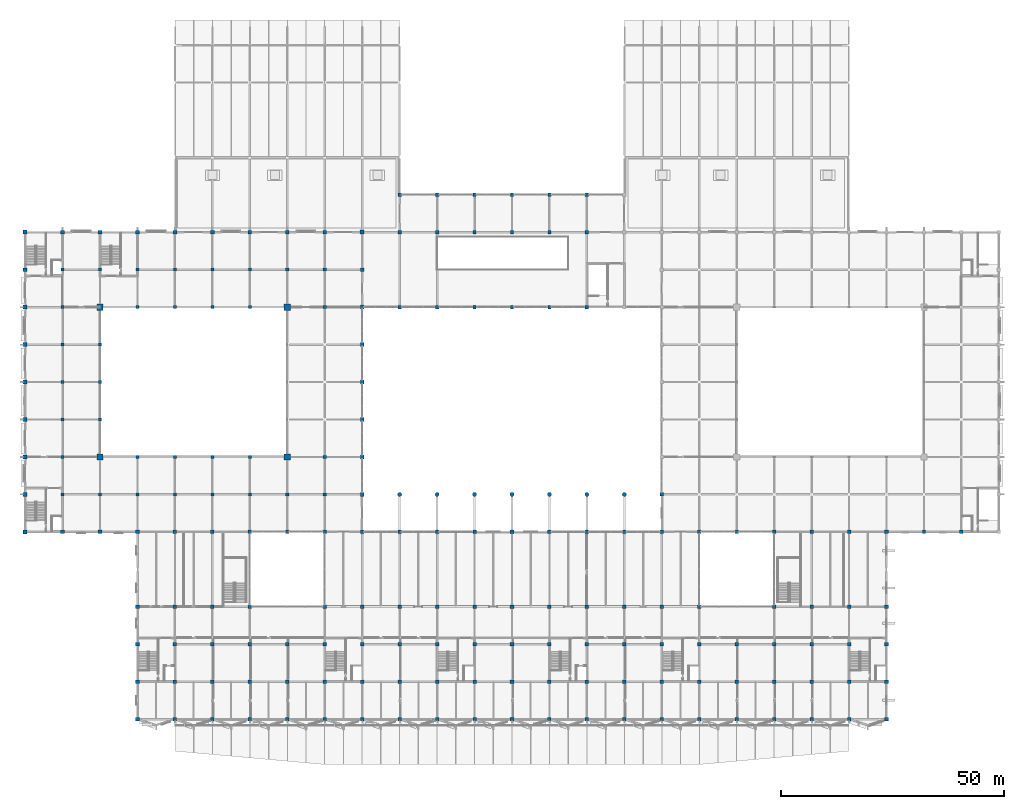
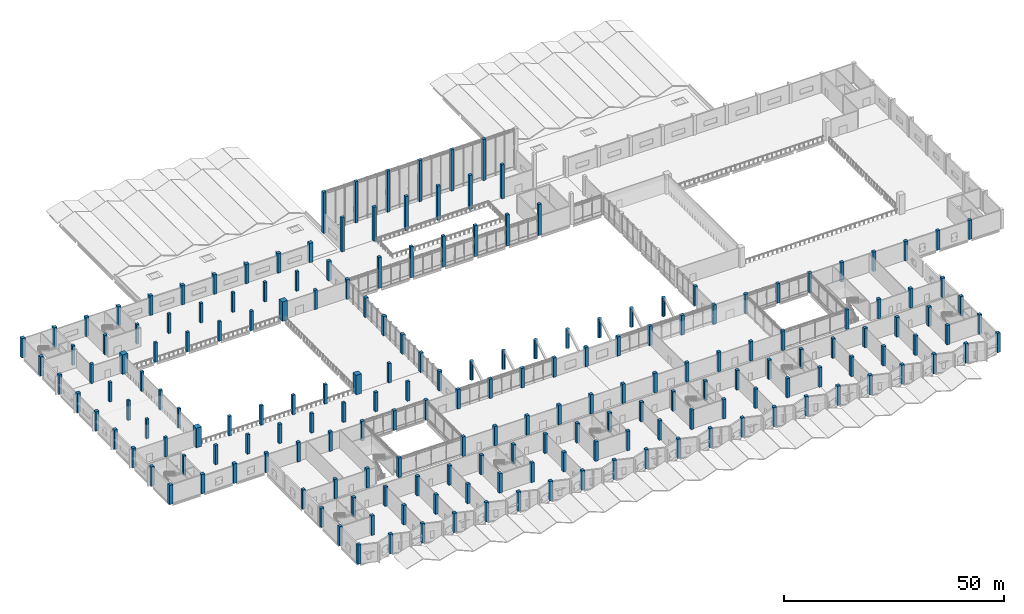
# One storey, part 1 of 72: 196 columns.
"""IFC4 building model written with IfcOpenShell, lengths in metres."""

from ifc_helpers import new_model, si_unit, direction, frame, origin, origin_2d, place, context, subcontext, project, spatial, rectangle, circle, extrude, material, material_profile, profile_set, type_object, element, save


model = new_model("IFC4")

# Units and contexts
model_context = context("Model", 3, precision=1e-05, world=origin(), true_north=direction((0.0, 1.0)))
body_context = subcontext(model_context, "Body", "Model", "MODEL_VIEW")
ifc_project = project(units=[si_unit("LENGTHUNIT", "METRE"), si_unit("AREAUNIT", "SQUARE_METRE"), si_unit("VOLUMEUNIT", "CUBIC_METRE"), si_unit("PLANEANGLEUNIT", "RADIAN"), si_unit("MASSUNIT", "GRAM", prefix="KILO")], contexts=[model_context])

# Site, building, storey
site_placement = place(None, origin())
site = spatial("IfcSite", under=ifc_project, at=site_placement, CompositionType="ELEMENT")
building_placement = place(site_placement, origin())
building = spatial("IfcBuilding", under=site, at=building_placement, Name="Qawsi Khor Wholesale Market", CompositionType="ELEMENT")
storey_placement = place(building_placement, frame((0.0, 0.0, 6.0)))
storey = spatial("IfcBuildingStorey", under=building, at=storey_placement, Name="L01", CompositionType="ELEMENT", Elevation=6.0)

# Columns
ifc_material = material(Name="Concrete C40/50", Category="concrete")
ifc_material_profile_1 = material_profile(ifc_material, rectangle(XDim=0.699951171875, YDim=0.699951171875, at=origin_2d()), Name="RC 700x700")
ifc_profile_set_1 = profile_set([ifc_material_profile_1], Name="Concrete C40/50")
column_type_1 = type_object("IfcColumnType", Name="Column RC 700x700", PredefinedType="COLUMN", material=ifc_profile_set_1)
for number, where, z_axis, x_axis, name in (
    (1, (8.39990234375, 50.39990234375, 0.0), (0.0, 0.0, 1.0), (1.0, 0.0, 0.0), "Column RC 700x700 L01 (1,6)"),
    (2, (8.39990234375, 58.800048828125, 0.0), (0.0, 0.0, 1.0), (1.0, 0.0, 0.0), "Column RC 700x700 L01 (1,7)"),
    (3, (8.39990234375, 67.199951171875, 0.0), (0.0, 0.0, 1.0), (1.0, 0.0, 0.0), "Column RC 700x700 L01 (1,8)"),
    (4, (8.39990234375, 75.60009765625, 0.0), (0.0, 0.0, 1.0), (1.0, 0.0, 0.0), "Column RC 700x700 L01 (1,9)"),
    (5, (8.39990234375, 84.0, 0.0), (0.0, 0.0, 1.0), (1.0, 0.0, 0.0), "Column RC 700x700 L01 (1,10)"),
    (6, (8.39990234375, 92.39990234375, 0.0), (0.0, 0.0, 1.0), (1.0, 0.0, 0.0), "Column RC 700x700 L01 (1,11)"),
    (7, (8.39990234375, 100.800048828125, 0.0), (0.0, 0.0, 1.0), (1.0, 0.0, 0.0), "Column RC 700x700 L01 (1,12)"),
    (8, (16.800048828125, 50.39990234375, 0.0), (0.0, 0.0, 1.0), (1.0, 0.0, 0.0), "Column RC 700x700 L01 (2,6)"),
    (9, (16.800048828125, 67.199951171875, 0.0), (0.0, 0.0, 1.0), (1.0, 0.0, 0.0), "Column RC 700x700 L01 (2,8)"),
    (10, (16.800048828125, 75.60009765625, 0.0), (0.0, 0.0, 1.0), (1.0, 0.0, 0.0), "Column RC 700x700 L01 (2,9)"),
    (11, (16.800048828125, 84.0, 0.0), (0.0, 0.0, 1.0), (1.0, 0.0, 0.0), "Column RC 700x700 L01 (2,10)"),
    (12, (16.800048828125, 100.800048828125, 0.0), (0.0, 0.0, 1.0), (1.0, 0.0, 0.0), "Column RC 700x700 L01 (2,12)"),
    (13, (25.199951171875, 50.39990234375, 0.0), (0.0, 0.0, 1.0), (1.0, 0.0, 0.0), "Column RC 700x700 L01 (3,6)"),
    (14, (25.199951171875, 58.800048828125, 0.0), (0.0, 0.0, 1.0), (1.0, 0.0, 0.0), "Column RC 700x700 L01 (3,7)"),
    (15, (25.199951171875, 92.39990234375, 0.0), (0.0, 0.0, 1.0), (1.0, 0.0, 0.0), "Column RC 700x700 L01 (3,11)"),
    (16, (25.199951171875, 100.800048828125, 0.0), (0.0, 0.0, 1.0), (1.0, 0.0, 0.0), "Column RC 700x700 L01 (3,12)"),
    (17, (33.60009765625, 50.39990234375, 0.0), (0.0, 0.0, 1.0), (1.0, 0.0, 0.0), "Column RC 700x700 L01 (4,6)"),
    (18, (33.60009765625, 58.800048828125, 0.0), (0.0, 0.0, 1.0), (1.0, 0.0, 0.0), "Column RC 700x700 L01 (4,7)"),
    (19, (33.60009765625, 92.39990234375, 0.0), (0.0, 0.0, 1.0), (1.0, 0.0, 0.0), "Column RC 700x700 L01 (4,11)"),
    (20, (33.60009765625, 100.800048828125, 0.0), (0.0, 0.0, 1.0), (1.0, 0.0, 0.0), "Column RC 700x700 L01 (4,12)"),
    (21, (42.0, 50.39990234375, 0.0), (0.0, 0.0, 1.0), (1.0, 0.0, 0.0), "Column RC 700x700 L01 (5,6)"),
    (22, (42.0, 58.800048828125, 0.0), (0.0, 0.0, 1.0), (1.0, 0.0, 0.0), "Column RC 700x700 L01 (5,7)"),
    (23, (42.0, 92.39990234375, 0.0), (0.0, 0.0, 1.0), (1.0, 0.0, 0.0), "Column RC 700x700 L01 (5,11)"),
    (24, (42.0, 100.800048828125, 0.0), (0.0, 0.0, 1.0), (1.0, 0.0, 0.0), "Column RC 700x700 L01 (5,12)"),
    (25, (50.39990234375, 50.39990234375, 0.0), (0.0, 0.0, 1.0), (1.0, 0.0, 0.0), "Column RC 700x700 L01 (6,6)"),
    (26, (50.39990234375, 58.800048828125, 0.0), (0.0, 0.0, 1.0), (1.0, 0.0, 0.0), "Column RC 700x700 L01 (6,7)"),
    (27, (50.39990234375, 92.39990234375, 0.0), (0.0, 0.0, 1.0), (1.0, 0.0, 0.0), "Column RC 700x700 L01 (6,11)"),
    (28, (50.39990234375, 100.800048828125, 0.0), (0.0, 0.0, 1.0), (1.0, 0.0, 0.0), "Column RC 700x700 L01 (6,12)"),
    (29, (58.800048828125, 50.39990234375, 0.0), (0.0, 0.0, 1.0), (1.0, 0.0, 0.0), "Column RC 700x700 L01 (7,6)"),
    (30, (58.800048828125, 100.800048828125, 0.0), (0.0, 0.0, 1.0), (1.0, 0.0, 0.0), "Column RC 700x700 L01 (7,12)"),
    (31, (67.199951171875, 50.39990234375, 0.0), (0.0, 0.0, 1.0), (1.0, 0.0, 0.0), "Column RC 700x700 L01 (8,6)"),
    (32, (67.199951171875, 58.800048828125, 0.0), (0.0, 0.0, 1.0), (1.0, 0.0, 0.0), "Column RC 700x700 L01 (8,7)"),
    (33, (67.199951171875, 92.39990234375, 0.0), (0.0, 0.0, 1.0), (1.0, 0.0, 0.0), "Column RC 700x700 L01 (8,11)"),
    (34, (67.199951171875, 100.800048828125, 0.0), (0.0, 0.0, 1.0), (1.0, 0.0, 0.0), "Column RC 700x700 L01 (8,12)"),
):
    element("IfcColumn", number, at=place(storey_placement, frame(where, z_axis=z_axis, x_axis=x_axis)), inside=storey, type_object=column_type_1, Name=name, PredefinedType="COLUMN", context=body_context, shape_type="SweptSolid", body=[
        extrude(rectangle(XDim=0.699951171875, YDim=0.699951171875, at=origin_2d()), origin(), (0.0, 0.0, 1.0), 5.39990234375),
    ])
ifc_material_profile_2 = material_profile(ifc_material, rectangle(XDim=0.75, YDim=0.75, at=origin_2d()), Name="RC 750x750")
ifc_profile_set_2 = profile_set([ifc_material_profile_2], Name="Concrete C40/50")
column_type_2 = type_object("IfcColumnType", Name="Column RC 750x750", PredefinedType="COLUMN", material=ifc_profile_set_2)
column_1_placement = place(storey_placement, frame((84.0, 92.39990234375, 0.0), z_axis=(0.0, 0.0, 1.0), x_axis=(1.0, 0.0, 0.0)))
element("IfcColumn", 35, at=column_1_placement, inside=storey, type_object=column_type_2, Name="Column RC 750x750 L01 (10,11)", PredefinedType="COLUMN", context=body_context, shape_type="SweptSolid", body=[
    extrude(rectangle(XDim=0.75, YDim=0.75, at=origin_2d()), origin(), (0.0, 0.0, 1.0), 8.639892578125),
])
column_2_placement = place(storey_placement, frame((84.0, 109.199951171875, 0.0), z_axis=(0.0, 0.0, 1.0), x_axis=(1.0, 0.0, 0.0)))
element("IfcColumn", 36, at=column_2_placement, inside=storey, type_object=column_type_2, Name="Column RC 750x750 L01 (10,13)", PredefinedType="COLUMN", context=body_context, shape_type="SweptSolid", body=[
    extrude(rectangle(XDim=0.75, YDim=0.75, at=origin_2d()), origin(), (0.0, 0.0, 1.0), 9.43994140625),
])
column_3_placement = place(storey_placement, frame((84.0, 117.60009765625, 0.0), z_axis=(0.0, 0.0, 1.0), x_axis=(1.0, 0.0, 0.0)))
element("IfcColumn", 37, at=column_3_placement, inside=storey, type_object=column_type_2, Name="Column RC 750x750 L01 (10,14)", PredefinedType="COLUMN", context=body_context, shape_type="SweptSolid", body=[
    extrude(rectangle(XDim=0.75, YDim=0.75, at=origin_2d()), origin(), (0.0, 0.0, 1.0), 11.43994140625),
])
column_4_placement = place(storey_placement, frame((92.39990234375, 92.39990234375, 0.0), z_axis=(0.0, 0.0, 1.0), x_axis=(1.0, 0.0, 0.0)))
element("IfcColumn", 38, at=column_4_placement, inside=storey, type_object=column_type_2, Name="Column RC 750x750 L01 (11,11)", PredefinedType="COLUMN", context=body_context, shape_type="SweptSolid", body=[
    extrude(rectangle(XDim=0.75, YDim=0.75, at=origin_2d()), origin(), (0.0, 0.0, 1.0), 8.639892578125),
])
column_5_placement = place(storey_placement, frame((92.39990234375, 109.199951171875, 0.0), z_axis=(0.0, 0.0, 1.0), x_axis=(1.0, 0.0, 0.0)))
element("IfcColumn", 39, at=column_5_placement, inside=storey, type_object=column_type_2, Name="Column RC 750x750 L01 (11,13)", PredefinedType="COLUMN", context=body_context, shape_type="SweptSolid", body=[
    extrude(rectangle(XDim=0.75, YDim=0.75, at=origin_2d()), origin(), (0.0, 0.0, 1.0), 9.43994140625),
])
column_6_placement = place(storey_placement, frame((92.39990234375, 117.60009765625, 0.0), z_axis=(0.0, 0.0, 1.0), x_axis=(1.0, 0.0, 0.0)))
element("IfcColumn", 40, at=column_6_placement, inside=storey, type_object=column_type_2, Name="Column RC 750x750 L01 (11,14)", PredefinedType="COLUMN", context=body_context, shape_type="SweptSolid", body=[
    extrude(rectangle(XDim=0.75, YDim=0.75, at=origin_2d()), origin(), (0.0, 0.0, 1.0), 11.43994140625),
])
column_7_placement = place(storey_placement, frame((100.800048828125, 92.39990234375, 0.0), z_axis=(0.0, 0.0, 1.0), x_axis=(1.0, 0.0, 0.0)))
element("IfcColumn", 41, at=column_7_placement, inside=storey, type_object=column_type_2, Name="Column RC 750x750 L01 (12,11)", PredefinedType="COLUMN", context=body_context, shape_type="SweptSolid", body=[
    extrude(rectangle(XDim=0.75, YDim=0.75, at=origin_2d()), origin(), (0.0, 0.0, 1.0), 8.639892578125),
])
column_8_placement = place(storey_placement, frame((100.800048828125, 109.199951171875, 0.0), z_axis=(0.0, 0.0, 1.0), x_axis=(1.0, 0.0, 0.0)))
element("IfcColumn", 42, at=column_8_placement, inside=storey, type_object=column_type_2, Name="Column RC 750x750 L01 (12,13)", PredefinedType="COLUMN", context=body_context, shape_type="SweptSolid", body=[
    extrude(rectangle(XDim=0.75, YDim=0.75, at=origin_2d()), origin(), (0.0, 0.0, 1.0), 9.43994140625),
])
column_9_placement = place(storey_placement, frame((100.800048828125, 117.60009765625, 0.0), z_axis=(0.0, 0.0, 1.0), x_axis=(1.0, 0.0, 0.0)))
element("IfcColumn", 43, at=column_9_placement, inside=storey, type_object=column_type_2, Name="Column RC 750x750 L01 (12,14)", PredefinedType="COLUMN", context=body_context, shape_type="SweptSolid", body=[
    extrude(rectangle(XDim=0.75, YDim=0.75, at=origin_2d()), origin(), (0.0, 0.0, 1.0), 11.43994140625),
])
column_10_placement = place(storey_placement, frame((109.199951171875, 92.39990234375, 0.0), z_axis=(0.0, 0.0, 1.0), x_axis=(1.0, 0.0, 0.0)))
element("IfcColumn", 44, at=column_10_placement, inside=storey, type_object=column_type_2, Name="Column RC 750x750 L01 (13,11)", PredefinedType="COLUMN", context=body_context, shape_type="SweptSolid", body=[
    extrude(rectangle(XDim=0.75, YDim=0.75, at=origin_2d()), origin(), (0.0, 0.0, 1.0), 8.639892578125),
])
column_11_placement = place(storey_placement, frame((109.199951171875, 109.199951171875, 0.0), z_axis=(0.0, 0.0, 1.0), x_axis=(1.0, 0.0, 0.0)))
element("IfcColumn", 45, at=column_11_placement, inside=storey, type_object=column_type_2, Name="Column RC 750x750 L01 (13,13)", PredefinedType="COLUMN", context=body_context, shape_type="SweptSolid", body=[
    extrude(rectangle(XDim=0.75, YDim=0.75, at=origin_2d()), origin(), (0.0, 0.0, 1.0), 9.43994140625),
])
column_12_placement = place(storey_placement, frame((109.199951171875, 117.60009765625, 0.0), z_axis=(0.0, 0.0, 1.0), x_axis=(1.0, 0.0, 0.0)))
element("IfcColumn", 46, at=column_12_placement, inside=storey, type_object=column_type_2, Name="Column RC 750x750 L01 (13,14)", PredefinedType="COLUMN", context=body_context, shape_type="SweptSolid", body=[
    extrude(rectangle(XDim=0.75, YDim=0.75, at=origin_2d()), origin(), (0.0, 0.0, 1.0), 11.43994140625),
])
column_13_placement = place(storey_placement, frame((117.60009765625, 92.39990234375, 0.0), z_axis=(0.0, 0.0, 1.0), x_axis=(1.0, 0.0, 0.0)))
element("IfcColumn", 47, at=column_13_placement, inside=storey, type_object=column_type_2, Name="Column RC 750x750 L01 (14,11)", PredefinedType="COLUMN", context=body_context, shape_type="SweptSolid", body=[
    extrude(rectangle(XDim=0.75, YDim=0.75, at=origin_2d()), origin(), (0.0, 0.0, 1.0), 8.639892578125),
])
column_14_placement = place(storey_placement, frame((117.60009765625, 109.199951171875, 0.0), z_axis=(0.0, 0.0, 1.0), x_axis=(1.0, 0.0, 0.0)))
element("IfcColumn", 48, at=column_14_placement, inside=storey, type_object=column_type_2, Name="Column RC 750x750 L01 (14,13)", PredefinedType="COLUMN", context=body_context, shape_type="SweptSolid", body=[
    extrude(rectangle(XDim=0.75, YDim=0.75, at=origin_2d()), origin(), (0.0, 0.0, 1.0), 9.43994140625),
])
column_15_placement = place(storey_placement, frame((117.60009765625, 117.60009765625, 0.0), z_axis=(0.0, 0.0, 1.0), x_axis=(1.0, 0.0, 0.0)))
element("IfcColumn", 49, at=column_15_placement, inside=storey, type_object=column_type_2, Name="Column RC 750x750 L01 (14,14)", PredefinedType="COLUMN", context=body_context, shape_type="SweptSolid", body=[
    extrude(rectangle(XDim=0.75, YDim=0.75, at=origin_2d()), origin(), (0.0, 0.0, 1.0), 11.43994140625),
])
column_16_placement = place(storey_placement, frame((126.0, 92.39990234375, 0.0), z_axis=(0.0, 0.0, 1.0), x_axis=(1.0, 0.0, 0.0)))
element("IfcColumn", 50, at=column_16_placement, inside=storey, type_object=column_type_2, Name="Column RC 750x750 L01 (15,11)", PredefinedType="COLUMN", context=body_context, shape_type="SweptSolid", body=[
    extrude(rectangle(XDim=0.75, YDim=0.75, at=origin_2d()), origin(), (0.0, 0.0, 1.0), 8.639892578125),
])
column_17_placement = place(storey_placement, frame((126.0, 109.199951171875, 0.0), z_axis=(0.0, 0.0, 1.0), x_axis=(1.0, 0.0, 0.0)))
element("IfcColumn", 51, at=column_17_placement, inside=storey, type_object=column_type_2, Name="Column RC 750x750 L01 (15,13)", PredefinedType="COLUMN", context=body_context, shape_type="SweptSolid", body=[
    extrude(rectangle(XDim=0.75, YDim=0.75, at=origin_2d()), origin(), (0.0, 0.0, 1.0), 9.43994140625),
])
column_18_placement = place(storey_placement, frame((126.0, 117.60009765625, 0.0), z_axis=(0.0, 0.0, 1.0), x_axis=(1.0, 0.0, 0.0)))
element("IfcColumn", 52, at=column_18_placement, inside=storey, type_object=column_type_2, Name="Column RC 750x750 L01 (15,14)", PredefinedType="COLUMN", context=body_context, shape_type="SweptSolid", body=[
    extrude(rectangle(XDim=0.75, YDim=0.75, at=origin_2d()), origin(), (0.0, 0.0, 1.0), 11.43994140625),
])
for number, where, z_axis, x_axis, name in (
    (53, (142.800048828125, 50.39990234375, 0.0), (0.0, 0.0, 1.0), (1.0, 0.0, 0.0), "Column RC 750x750 L01 (17,6)"),
    (54, (159.60009765625, 42.0, 0.0), (0.0, 0.0, 1.0), (1.0, 0.0, 0.0), "Column RC 750x750 L01 (19,5)"),
    (55, (201.60009765625, 42.0, 0.0), (0.0, 0.0, 1.0), (1.0, 0.0, 0.0), "Column RC 750x750 L01 (24,5)"),
    (56, (210.0, 42.0, 0.0), (0.0, 0.0, 1.0), (1.0, 0.0, 0.0), "Column RC 750x750 L01 (25,5)"),
):
    element("IfcColumn", number, at=place(storey_placement, frame(where, z_axis=z_axis, x_axis=x_axis)), inside=storey, type_object=column_type_2, Name=name, PredefinedType="COLUMN", context=body_context, shape_type="SweptSolid", body=[
        extrude(rectangle(XDim=0.75, YDim=0.75, at=origin_2d()), origin(), (0.0, 0.0, 1.0), 5.39990234375),
    ])
ifc_material_profile_3 = material_profile(ifc_material, rectangle(XDim=0.800048828125, YDim=0.800048828125, at=origin_2d()), Name="RC 800x800")
ifc_profile_set_3 = profile_set([ifc_material_profile_3], Name="Concrete C40/50")
column_type_3 = type_object("IfcColumnType", Name="Column RC 800x800", PredefinedType="COLUMN", material=ifc_profile_set_3)
for number, where, z_axis, x_axis, name in (
    (57, (25.199951171875, 0.0, 0.0), (0.0, 0.0, 1.0), (1.0, 0.0, 0.0), "Column RC 800x800 L01 (3,0)"),
    (58, (25.199951171875, 8.39990234375, 0.0), (0.0, 0.0, 1.0), (1.0, 0.0, 0.0), "Column RC 800x800 L01 (3,1)"),
    (59, (25.199951171875, 16.800048828125, 0.0), (0.0, 0.0, 1.0), (1.0, 0.0, 0.0), "Column RC 800x800 L01 (3,2)"),
    (60, (25.199951171875, 25.199951171875, 0.0), (0.0, 0.0, 1.0), (1.0, 0.0, 0.0), "Column RC 800x800 L01 (3,3)"),
    (61, (25.199951171875, 42.0, 0.0), (0.0, 0.0, 1.0), (1.0, 0.0, 0.0), "Column RC 800x800 L01 (3,5)"),
    (62, (33.60009765625, 0.0, 0.0), (0.0, 0.0, 1.0), (1.0, 0.0, 0.0), "Column RC 800x800 L01 (4,0)"),
    (63, (33.60009765625, 8.39990234375, 0.0), (0.0, 0.0, 1.0), (1.0, 0.0, 0.0), "Column RC 800x800 L01 (4,1)"),
    (64, (33.60009765625, 16.800048828125, 0.0), (0.0, 0.0, 1.0), (1.0, 0.0, 0.0), "Column RC 800x800 L01 (4,2)"),
    (65, (33.60009765625, 25.199951171875, 0.0), (0.0, 0.0, 1.0), (1.0, 0.0, 0.0), "Column RC 800x800 L01 (4,3)"),
    (66, (33.60009765625, 42.0, 0.0), (0.0, 0.0, 1.0), (1.0, 0.0, 0.0), "Column RC 800x800 L01 (4,5)"),
    (67, (42.0, 0.0, 0.0), (0.0, 0.0, 1.0), (1.0, 0.0, 0.0), "Column RC 800x800 L01 (5,0)"),
    (68, (42.0, 8.39990234375, 0.0), (0.0, 0.0, 1.0), (1.0, 0.0, 0.0), "Column RC 800x800 L01 (5,1)"),
    (69, (42.0, 16.800048828125, 0.0), (0.0, 0.0, 1.0), (1.0, 0.0, 0.0), "Column RC 800x800 L01 (5,2)"),
    (70, (42.0, 25.199951171875, 0.0), (0.0, 0.0, 1.0), (1.0, 0.0, 0.0), "Column RC 800x800 L01 (5,3)"),
    (71, (42.0, 42.0, 0.0), (0.0, 0.0, 1.0), (1.0, 0.0, 0.0), "Column RC 800x800 L01 (5,5)"),
    (72, (50.39990234375, 0.0, 0.0), (0.0, 0.0, 1.0), (1.0, 0.0, 0.0), "Column RC 800x800 L01 (6,0)"),
    (73, (50.39990234375, 8.39990234375, 0.0), (0.0, 0.0, 1.0), (1.0, 0.0, 0.0), "Column RC 800x800 L01 (6,1)"),
    (74, (50.39990234375, 16.800048828125, 0.0), (0.0, 0.0, 1.0), (1.0, 0.0, 0.0), "Column RC 800x800 L01 (6,2)"),
    (75, (50.39990234375, 25.199951171875, 0.0), (0.0, 0.0, 1.0), (1.0, 0.0, 0.0), "Column RC 800x800 L01 (6,3)"),
    (76, (50.39990234375, 42.0, 0.0), (0.0, 0.0, 1.0), (1.0, 0.0, 0.0), "Column RC 800x800 L01 (6,5)"),
    (77, (58.800048828125, 0.0, 0.0), (0.0, 0.0, 1.0), (1.0, 0.0, 0.0), "Column RC 800x800 L01 (7,0)"),
    (78, (58.800048828125, 8.39990234375, 0.0), (0.0, 0.0, 1.0), (1.0, 0.0, 0.0), "Column RC 800x800 L01 (7,1)"),
    (79, (58.800048828125, 16.800048828125, 0.0), (0.0, 0.0, 1.0), (1.0, 0.0, 0.0), "Column RC 800x800 L01 (7,2)"),
    (80, (67.199951171875, 0.0, 0.0), (0.0, 0.0, 1.0), (1.0, 0.0, 0.0), "Column RC 800x800 L01 (8,0)"),
    (81, (67.199951171875, 8.39990234375, 0.0), (0.0, 0.0, 1.0), (1.0, 0.0, 0.0), "Column RC 800x800 L01 (8,1)"),
    (82, (67.199951171875, 16.800048828125, 0.0), (0.0, 0.0, 1.0), (1.0, 0.0, 0.0), "Column RC 800x800 L01 (8,2)"),
    (83, (67.199951171875, 25.199951171875, 0.0), (0.0, 0.0, 1.0), (1.0, 0.0, 0.0), "Column RC 800x800 L01 (8,3)"),
    (84, (67.199951171875, 42.0, 0.0), (0.0, 0.0, 1.0), (1.0, 0.0, 0.0), "Column RC 800x800 L01 (8,5)"),
    (85, (75.60009765625, 0.0, 0.0), (0.0, 0.0, 1.0), (1.0, 0.0, 0.0), "Column RC 800x800 L01 (9,0)"),
    (86, (75.60009765625, 8.39990234375, 0.0), (0.0, 0.0, 1.0), (1.0, 0.0, 0.0), "Column RC 800x800 L01 (9,1)"),
    (87, (75.60009765625, 16.800048828125, 0.0), (0.0, 0.0, 1.0), (1.0, 0.0, 0.0), "Column RC 800x800 L01 (9,2)"),
    (88, (75.60009765625, 25.199951171875, 0.0), (0.0, 0.0, 1.0), (1.0, 0.0, 0.0), "Column RC 800x800 L01 (9,3)"),
    (89, (75.60009765625, 42.0, 0.0), (0.0, 0.0, 1.0), (1.0, 0.0, 0.0), "Column RC 800x800 L01 (9,5)"),
    (90, (84.0, 0.0, 0.0), (0.0, 0.0, 1.0), (1.0, 0.0, 0.0), "Column RC 800x800 L01 (10,0)"),
    (91, (84.0, 8.39990234375, 0.0), (0.0, 0.0, 1.0), (1.0, 0.0, 0.0), "Column RC 800x800 L01 (10,1)"),
    (92, (84.0, 16.800048828125, 0.0), (0.0, 0.0, 1.0), (1.0, 0.0, 0.0), "Column RC 800x800 L01 (10,2)"),
    (93, (84.0, 25.199951171875, 0.0), (0.0, 0.0, 1.0), (1.0, 0.0, 0.0), "Column RC 800x800 L01 (10,3)"),
    (94, (84.0, 42.0, 0.0), (0.0, 0.0, 1.0), (1.0, 0.0, 0.0), "Column RC 800x800 L01 (10,5)"),
    (95, (92.39990234375, 0.0, 0.0), (0.0, 0.0, 1.0), (1.0, 0.0, 0.0), "Column RC 800x800 L01 (11,0)"),
    (96, (92.39990234375, 8.39990234375, 0.0), (0.0, 0.0, 1.0), (1.0, 0.0, 0.0), "Column RC 800x800 L01 (11,1)"),
    (97, (92.39990234375, 16.800048828125, 0.0), (0.0, 0.0, 1.0), (1.0, 0.0, 0.0), "Column RC 800x800 L01 (11,2)"),
    (98, (92.39990234375, 25.199951171875, 0.0), (0.0, 0.0, 1.0), (1.0, 0.0, 0.0), "Column RC 800x800 L01 (11,3)"),
    (99, (92.39990234375, 42.0, 0.0), (0.0, 0.0, 1.0), (1.0, 0.0, 0.0), "Column RC 800x800 L01 (11,5)"),
    (100, (100.800048828125, 0.0, 0.0), (0.0, 0.0, 1.0), (1.0, 0.0, 0.0), "Column RC 800x800 L01 (12,0)"),
    (101, (100.800048828125, 8.39990234375, 0.0), (0.0, 0.0, 1.0), (1.0, 0.0, 0.0), "Column RC 800x800 L01 (12,1)"),
    (102, (100.800048828125, 16.800048828125, 0.0), (0.0, 0.0, 1.0), (1.0, 0.0, 0.0), "Column RC 800x800 L01 (12,2)"),
    (103, (100.800048828125, 25.199951171875, 0.0), (0.0, 0.0, 1.0), (1.0, 0.0, 0.0), "Column RC 800x800 L01 (12,3)"),
    (104, (100.800048828125, 42.0, 0.0), (0.0, 0.0, 1.0), (1.0, 0.0, 0.0), "Column RC 800x800 L01 (12,5)"),
    (105, (109.199951171875, 0.0, 0.0), (0.0, 0.0, 1.0), (1.0, 0.0, 0.0), "Column RC 800x800 L01 (13,0)"),
    (106, (109.199951171875, 8.39990234375, 0.0), (0.0, 0.0, 1.0), (1.0, 0.0, 0.0), "Column RC 800x800 L01 (13,1)"),
    (107, (109.199951171875, 16.800048828125, 0.0), (0.0, 0.0, 1.0), (1.0, 0.0, 0.0), "Column RC 800x800 L01 (13,2)"),
    (108, (109.199951171875, 25.199951171875, 0.0), (0.0, 0.0, 1.0), (1.0, 0.0, 0.0), "Column RC 800x800 L01 (13,3)"),
    (109, (109.199951171875, 42.0, 0.0), (0.0, 0.0, 1.0), (1.0, 0.0, 0.0), "Column RC 800x800 L01 (13,5)"),
    (110, (117.60009765625, 0.0, 0.0), (0.0, 0.0, 1.0), (1.0, 0.0, 0.0), "Column RC 800x800 L01 (14,0)"),
    (111, (117.60009765625, 8.39990234375, 0.0), (0.0, 0.0, 1.0), (1.0, 0.0, 0.0), "Column RC 800x800 L01 (14,1)"),
    (112, (117.60009765625, 16.800048828125, 0.0), (0.0, 0.0, 1.0), (1.0, 0.0, 0.0), "Column RC 800x800 L01 (14,2)"),
    (113, (117.60009765625, 25.199951171875, 0.0), (0.0, 0.0, 1.0), (1.0, 0.0, 0.0), "Column RC 800x800 L01 (14,3)"),
    (114, (117.60009765625, 42.0, 0.0), (0.0, 0.0, 1.0), (1.0, 0.0, 0.0), "Column RC 800x800 L01 (14,5)"),
    (115, (126.0, 0.0, 0.0), (0.0, 0.0, 1.0), (1.0, 0.0, 0.0), "Column RC 800x800 L01 (15,0)"),
    (116, (126.0, 8.39990234375, 0.0), (0.0, 0.0, 1.0), (1.0, 0.0, 0.0), "Column RC 800x800 L01 (15,1)"),
    (117, (126.0, 16.800048828125, 0.0), (0.0, 0.0, 1.0), (1.0, 0.0, 0.0), "Column RC 800x800 L01 (15,2)"),
    (118, (126.0, 25.199951171875, 0.0), (0.0, 0.0, 1.0), (1.0, 0.0, 0.0), "Column RC 800x800 L01 (15,3)"),
    (119, (126.0, 42.0, 0.0), (0.0, 0.0, 1.0), (1.0, 0.0, 0.0), "Column RC 800x800 L01 (15,5)"),
    (120, (134.39990234375, 0.0, 0.0), (0.0, 0.0, 1.0), (1.0, 0.0, 0.0), "Column RC 800x800 L01 (16,0)"),
    (121, (134.39990234375, 8.39990234375, 0.0), (0.0, 0.0, 1.0), (1.0, 0.0, 0.0), "Column RC 800x800 L01 (16,1)"),
    (122, (134.39990234375, 16.800048828125, 0.0), (0.0, 0.0, 1.0), (1.0, 0.0, 0.0), "Column RC 800x800 L01 (16,2)"),
    (123, (134.39990234375, 25.199951171875, 0.0), (0.0, 0.0, 1.0), (1.0, 0.0, 0.0), "Column RC 800x800 L01 (16,3)"),
    (124, (134.39990234375, 42.0, 0.0), (0.0, 0.0, 1.0), (1.0, 0.0, 0.0), "Column RC 800x800 L01 (16,5)"),
    (125, (142.800048828125, 0.0, 0.0), (0.0, 0.0, 1.0), (1.0, 0.0, 0.0), "Column RC 800x800 L01 (17,0)"),
    (126, (142.800048828125, 8.39990234375, 0.0), (0.0, 0.0, 1.0), (1.0, 0.0, 0.0), "Column RC 800x800 L01 (17,1)"),
    (127, (142.800048828125, 16.800048828125, 0.0), (0.0, 0.0, 1.0), (1.0, 0.0, 0.0), "Column RC 800x800 L01 (17,2)"),
    (128, (142.800048828125, 25.199951171875, 0.0), (0.0, 0.0, 1.0), (1.0, 0.0, 0.0), "Column RC 800x800 L01 (17,3)"),
    (129, (142.800048828125, 42.0, 0.0), (0.0, 0.0, 1.0), (1.0, 0.0, 0.0), "Column RC 800x800 L01 (17,5)"),
    (130, (151.199951171875, 0.0, 0.0), (0.0, 0.0, 1.0), (1.0, 0.0, 0.0), "Column RC 800x800 L01 (18,0)"),
    (131, (151.199951171875, 8.39990234375, 0.0), (0.0, 0.0, 1.0), (1.0, 0.0, 0.0), "Column RC 800x800 L01 (18,1)"),
    (132, (151.199951171875, 16.800048828125, 0.0), (0.0, 0.0, 1.0), (1.0, 0.0, 0.0), "Column RC 800x800 L01 (18,2)"),
    (133, (151.199951171875, 25.199951171875, 0.0), (0.0, 0.0, 1.0), (1.0, 0.0, 0.0), "Column RC 800x800 L01 (18,3)"),
    (134, (151.199951171875, 42.0, 0.0), (0.0, 0.0, 1.0), (1.0, 0.0, 0.0), "Column RC 800x800 L01 (18,5)"),
    (135, (159.60009765625, 0.0, 0.0), (0.0, 0.0, 1.0), (1.0, 0.0, 0.0), "Column RC 800x800 L01 (19,0)"),
    (136, (159.60009765625, 8.39990234375, 0.0), (0.0, 0.0, 1.0), (1.0, 0.0, 0.0), "Column RC 800x800 L01 (19,1)"),
    (137, (159.60009765625, 16.800048828125, 0.0), (0.0, 0.0, 1.0), (1.0, 0.0, 0.0), "Column RC 800x800 L01 (19,2)"),
    (138, (168.0, 0.0, 0.0), (0.0, 0.0, 1.0), (1.0, 0.0, 0.0), "Column RC 800x800 L01 (20,0)"),
    (139, (168.0, 8.39990234375, 0.0), (0.0, 0.0, 1.0), (1.0, 0.0, 0.0), "Column RC 800x800 L01 (20,1)"),
    (140, (168.0, 16.800048828125, 0.0), (0.0, 0.0, 1.0), (1.0, 0.0, 0.0), "Column RC 800x800 L01 (20,2)"),
    (141, (168.0, 25.199951171875, 0.0), (0.0, 0.0, 1.0), (1.0, 0.0, 0.0), "Column RC 800x800 L01 (20,3)"),
    (142, (168.0, 42.0, 0.0), (0.0, 0.0, 1.0), (1.0, 0.0, 0.0), "Column RC 800x800 L01 (20,5)"),
    (143, (176.39990234375, 0.0, 0.0), (0.0, 0.0, 1.0), (1.0, 0.0, 0.0), "Column RC 800x800 L01 (21,0)"),
    (144, (176.39990234375, 8.39990234375, 0.0), (0.0, 0.0, 1.0), (1.0, 0.0, 0.0), "Column RC 800x800 L01 (21,1)"),
    (145, (176.39990234375, 16.800048828125, 0.0), (0.0, 0.0, 1.0), (1.0, 0.0, 0.0), "Column RC 800x800 L01 (21,2)"),
    (146, (176.39990234375, 25.199951171875, 0.0), (0.0, 0.0, 1.0), (1.0, 0.0, 0.0), "Column RC 800x800 L01 (21,3)"),
    (147, (176.39990234375, 42.0, 0.0), (0.0, 0.0, 1.0), (1.0, 0.0, 0.0), "Column RC 800x800 L01 (21,5)"),
    (148, (184.800048828125, 0.0, 0.0), (0.0, 0.0, 1.0), (1.0, 0.0, 0.0), "Column RC 800x800 L01 (22,0)"),
    (149, (184.800048828125, 8.39990234375, 0.0), (0.0, 0.0, 1.0), (1.0, 0.0, 0.0), "Column RC 800x800 L01 (22,1)"),
    (150, (184.800048828125, 16.800048828125, 0.0), (0.0, 0.0, 1.0), (1.0, 0.0, 0.0), "Column RC 800x800 L01 (22,2)"),
    (151, (184.800048828125, 25.199951171875, 0.0), (0.0, 0.0, 1.0), (1.0, 0.0, 0.0), "Column RC 800x800 L01 (22,3)"),
    (152, (184.800048828125, 42.0, 0.0), (0.0, 0.0, 1.0), (1.0, 0.0, 0.0), "Column RC 800x800 L01 (22,5)"),
    (153, (193.199951171875, 0.0, 0.0), (0.0, 0.0, 1.0), (1.0, 0.0, 0.0), "Column RC 800x800 L01 (23,0)"),
    (154, (193.199951171875, 8.39990234375, 0.0), (0.0, 0.0, 1.0), (1.0, 0.0, 0.0), "Column RC 800x800 L01 (23,1)"),
    (155, (193.199951171875, 16.800048828125, 0.0), (0.0, 0.0, 1.0), (1.0, 0.0, 0.0), "Column RC 800x800 L01 (23,2)"),
    (156, (193.199951171875, 25.199951171875, 0.0), (0.0, 0.0, 1.0), (1.0, 0.0, 0.0), "Column RC 800x800 L01 (23,3)"),
    (157, (193.199951171875, 42.0, 0.0), (0.0, 0.0, 1.0), (1.0, 0.0, 0.0), "Column RC 800x800 L01 (23,5)"),
):
    element("IfcColumn", number, at=place(storey_placement, frame(where, z_axis=z_axis, x_axis=x_axis)), inside=storey, type_object=column_type_3, Name=name, PredefinedType="COLUMN", context=body_context, shape_type="SweptSolid", body=[
        extrude(rectangle(XDim=0.800048828125, YDim=0.800048828125, at=origin_2d()), origin(), (0.0, 0.0, 1.0), 5.39990234375),
    ])
ifc_material_profile_4 = material_profile(ifc_material, rectangle(XDim=0.85009765625, YDim=0.85009765625, at=origin_2d()), Name="RC 850x850")
ifc_profile_set_4 = profile_set([ifc_material_profile_4], Name="Concrete C40/50")
column_type_4 = type_object("IfcColumnType", Name="Column RC 850x850", PredefinedType="COLUMN", material=ifc_profile_set_4)
for number, where, z_axis, x_axis, name in (
    (158, (0.0, 50.39990234375, 0.0), (0.0, 0.0, 1.0), (1.0, 0.0, 0.0), "Column RC 850x850 L01 (0,6)"),
    (159, (0.0, 58.800048828125, 0.0), (0.0, 0.0, 1.0), (1.0, 0.0, 0.0), "Column RC 850x850 L01 (0,7)"),
    (160, (0.0, 67.199951171875, 0.0), (0.0, 0.0, 1.0), (1.0, 0.0, 0.0), "Column RC 850x850 L01 (0,8)"),
    (161, (0.0, 75.60009765625, 0.0), (0.0, 0.0, 1.0), (1.0, 0.0, 0.0), "Column RC 850x850 L01 (0,9)"),
    (162, (0.0, 84.0, 0.0), (0.0, 0.0, 1.0), (1.0, 0.0, 0.0), "Column RC 850x850 L01 (0,10)"),
    (163, (0.0, 92.39990234375, 0.0), (0.0, 0.0, 1.0), (1.0, 0.0, 0.0), "Column RC 850x850 L01 (0,11)"),
    (164, (0.0, 100.800048828125, 0.0), (0.0, 0.0, 1.0), (1.0, 0.0, 0.0), "Column RC 850x850 L01 (0,12)"),
    (165, (8.39990234375, 42.0, 0.0), (0.0, 0.0, 1.0), (1.0, 0.0, 0.0), "Column RC 850x850 L01 (1,5)"),
    (166, (8.39990234375, 109.199951171875, 0.0), (0.0, 0.0, 1.0), (1.0, 0.0, 0.0), "Column RC 850x850 L01 (1,13)"),
    (167, (16.800048828125, 42.0, 0.0), (0.0, 0.0, 1.0), (1.0, 0.0, 0.0), "Column RC 850x850 L01 (2,5)"),
    (168, (16.800048828125, 109.199951171875, 0.0), (0.0, 0.0, 1.0), (1.0, 0.0, 0.0), "Column RC 850x850 L01 (2,13)"),
    (169, (25.199951171875, 109.199951171875, 0.0), (0.0, 0.0, 1.0), (1.0, 0.0, 0.0), "Column RC 850x850 L01 (3,13)"),
    (170, (33.60009765625, 109.199951171875, 0.0), (0.0, 0.0, 1.0), (1.0, 0.0, 0.0), "Column RC 850x850 L01 (4,13)"),
    (171, (42.0, 109.199951171875, 0.0), (0.0, 0.0, 1.0), (1.0, 0.0, 0.0), "Column RC 850x850 L01 (5,13)"),
    (172, (50.39990234375, 109.199951171875, 0.0), (0.0, 0.0, 1.0), (1.0, 0.0, 0.0), "Column RC 850x850 L01 (6,13)"),
    (173, (58.800048828125, 42.0, 0.0), (0.0, 0.0, 1.0), (1.0, 0.0, 0.0), "Column RC 850x850 L01 (7,5)"),
    (174, (58.800048828125, 109.199951171875, 0.0), (0.0, 0.0, 1.0), (1.0, 0.0, 0.0), "Column RC 850x850 L01 (7,13)"),
    (175, (67.199951171875, 109.199951171875, 0.0), (0.0, 0.0, 1.0), (1.0, 0.0, 0.0), "Column RC 850x850 L01 (8,13)"),
    (176, (75.60009765625, 50.39990234375, 0.0), (0.0, 0.0, 1.0), (1.0, 0.0, 0.0), "Column RC 850x850 L01 (9,6)"),
    (177, (75.60009765625, 58.800048828125, 0.0), (0.0, 0.0, 1.0), (1.0, 0.0, 0.0), "Column RC 850x850 L01 (9,7)"),
    (178, (75.60009765625, 67.199951171875, 0.0), (0.0, 0.0, 1.0), (1.0, 0.0, 0.0), "Column RC 850x850 L01 (9,8)"),
    (179, (75.60009765625, 75.60009765625, 0.0), (0.0, 0.0, 1.0), (1.0, 0.0, 0.0), "Column RC 850x850 L01 (9,9)"),
    (180, (75.60009765625, 84.0, 0.0), (0.0, 0.0, 1.0), (1.0, 0.0, 0.0), "Column RC 850x850 L01 (9,10)"),
    (181, (75.60009765625, 92.39990234375, 0.0), (0.0, 0.0, 1.0), (1.0, 0.0, 0.0), "Column RC 850x850 L01 (9,11)"),
    (182, (75.60009765625, 100.800048828125, 0.0), (0.0, 0.0, 1.0), (1.0, 0.0, 0.0), "Column RC 850x850 L01 (9,12)"),
):
    element("IfcColumn", number, at=place(storey_placement, frame(where, z_axis=z_axis, x_axis=x_axis)), inside=storey, type_object=column_type_4, Name=name, PredefinedType="COLUMN", context=body_context, shape_type="SweptSolid", body=[
        extrude(rectangle(XDim=0.85009765625, YDim=0.85009765625, at=origin_2d()), origin(), (0.0, 0.0, 1.0), 5.39990234375),
    ])
ifc_material_profile_5 = material_profile(ifc_material, rectangle(XDim=0.89990234375, YDim=0.89990234375, at=origin_2d()), Name="RC 900x900")
ifc_profile_set_5 = profile_set([ifc_material_profile_5], Name="Concrete C40/50")
column_type_5 = type_object("IfcColumnType", Name="Column RC 900x900", PredefinedType="COLUMN", material=ifc_profile_set_5)
for number, where, z_axis, x_axis, name in (
    (183, (0.0, 42.0, 0.0), (0.0, 0.0, 1.0), (1.0, 0.0, 0.0), "Column RC 900x900 L01 (0,5)"),
    (184, (0.0, 109.199951171875, 0.0), (0.0, 0.0, 1.0), (1.0, 0.0, 0.0), "Column RC 900x900 L01 (0,13)"),
    (185, (75.60009765625, 109.199951171875, 0.0), (0.0, 0.0, 1.0), (1.0, 0.0, 0.0), "Column RC 900x900 L01 (9,13)"),
):
    element("IfcColumn", number, at=place(storey_placement, frame(where, z_axis=z_axis, x_axis=x_axis)), inside=storey, type_object=column_type_5, Name=name, PredefinedType="COLUMN", context=body_context, shape_type="SweptSolid", body=[
        extrude(rectangle(XDim=0.89990234375, YDim=0.89990234375, at=origin_2d()), origin(), (0.0, 0.0, 1.0), 5.39990234375),
    ])
ifc_material_profile_6 = material_profile(ifc_material, circle(Radius=0.47509765625, at=origin_2d()), Name="RC COL D950")
ifc_profile_set_6 = profile_set([ifc_material_profile_6], Name="Concrete C40/50")
column_type_6 = type_object("IfcColumnType", Name="Court Pier D950", PredefinedType="COLUMN", material=ifc_profile_set_6)
for number, where, z_axis, x_axis, name in (
    (186, (84.0, 50.39990234375, 0.0), (0.0, 0.0, 1.0), (1.0, 0.0, 0.0), "Court Pier D950 L01 (10,6)"),
    (187, (92.39990234375, 50.39990234375, 0.0), (0.0, 0.0, 1.0), (1.0, 0.0, 0.0), "Court Pier D950 L01 (11,6)"),
    (188, (100.800048828125, 50.39990234375, 0.0), (0.0, 0.0, 1.0), (1.0, 0.0, 0.0), "Court Pier D950 L01 (12,6)"),
    (189, (109.199951171875, 50.39990234375, 0.0), (0.0, 0.0, 1.0), (1.0, 0.0, 0.0), "Court Pier D950 L01 (13,6)"),
    (190, (117.60009765625, 50.39990234375, 0.0), (0.0, 0.0, 1.0), (1.0, 0.0, 0.0), "Court Pier D950 L01 (14,6)"),
    (191, (126.0, 50.39990234375, 0.0), (0.0, 0.0, 1.0), (1.0, 0.0, 0.0), "Court Pier D950 L01 (15,6)"),
    (192, (134.39990234375, 50.39990234375, 0.0), (0.0, 0.0, 1.0), (1.0, 0.0, 0.0), "Court Pier D950 L01 (16,6)"),
):
    element("IfcColumn", number, at=place(storey_placement, frame(where, z_axis=z_axis, x_axis=x_axis)), inside=storey, type_object=column_type_6, Name=name, PredefinedType="COLUMN", context=body_context, shape_type="SweptSolid", body=[
        extrude(circle(Radius=0.47509765625, at=origin_2d()), origin(), (0.0, 0.0, 1.0), 5.14990234375),
    ])
ifc_material_profile_7 = material_profile(ifc_material, rectangle(XDim=1.39990234375, YDim=1.39990234375, at=origin_2d()), Name="RC 1400x1400")
ifc_profile_set_7 = profile_set([ifc_material_profile_7], Name="Concrete C40/50")
column_type_7 = type_object("IfcColumnType", Name="Hall Mega-Column RC 1400x1400", PredefinedType="COLUMN", material=ifc_profile_set_7)
for number, where, z_axis, x_axis, name in (
    (193, (16.800048828125, 58.800048828125, 0.0), (0.0, 0.0, 1.0), (1.0, 0.0, 0.0), "Hall Mega-Column RC 1400x1400 L01 (2,7)"),
    (194, (16.800048828125, 92.39990234375, 0.0), (0.0, 0.0, 1.0), (1.0, 0.0, 0.0), "Hall Mega-Column RC 1400x1400 L01 (2,11)"),
    (195, (58.800048828125, 58.800048828125, 0.0), (0.0, 0.0, 1.0), (1.0, 0.0, 0.0), "Hall Mega-Column RC 1400x1400 L01 (7,7)"),
    (196, (58.800048828125, 92.39990234375, 0.0), (0.0, 0.0, 1.0), (1.0, 0.0, 0.0), "Hall Mega-Column RC 1400x1400 L01 (7,11)"),
):
    element("IfcColumn", number, at=place(storey_placement, frame(where, z_axis=z_axis, x_axis=x_axis)), inside=storey, type_object=column_type_7, Name=name, PredefinedType="COLUMN", context=body_context, shape_type="SweptSolid", body=[
        extrude(rectangle(XDim=1.39990234375, YDim=1.39990234375, at=origin_2d()), origin(), (0.0, 0.0, 1.0), 5.39990234375),
    ])

save(model, "model.ifc")
